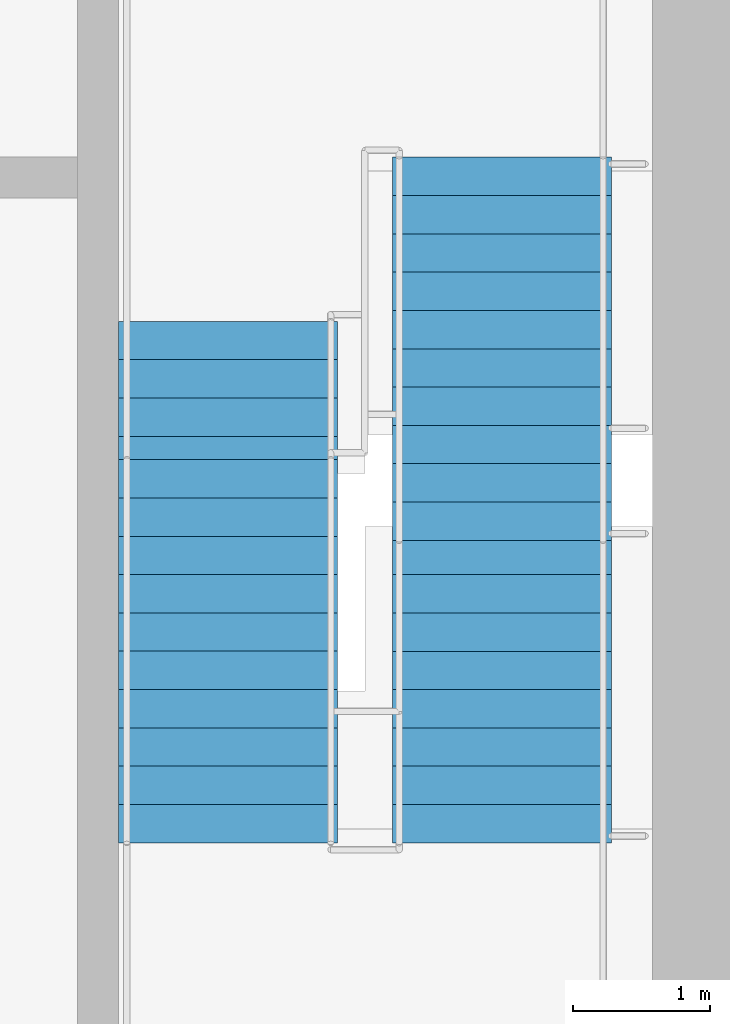
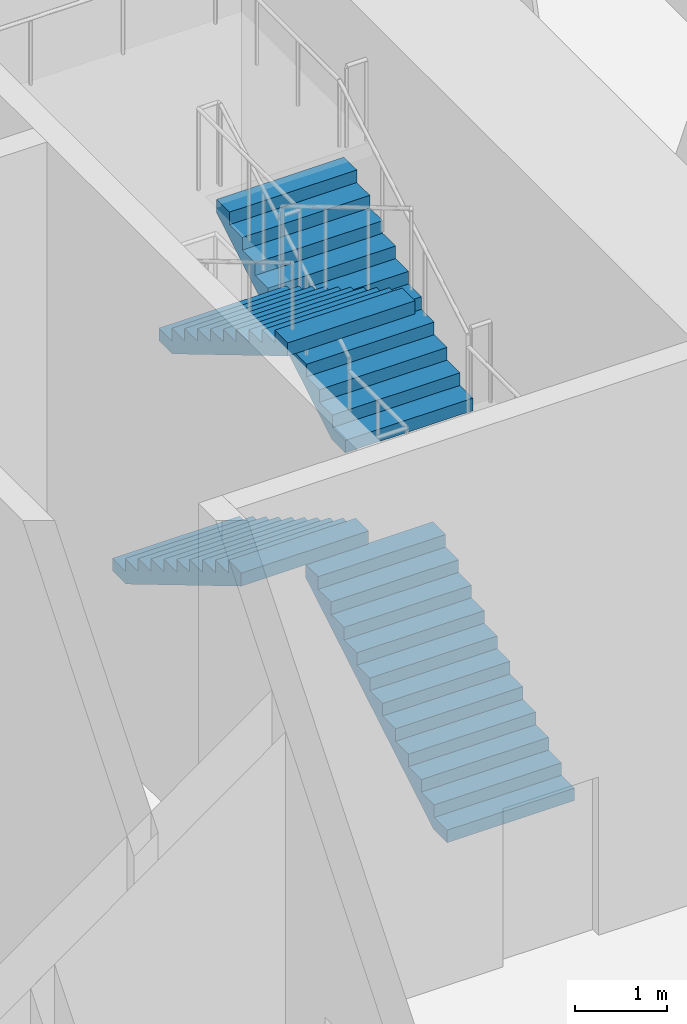
# One storey, part 14 of 16: 4 stair flights, 1 element without a shape of its own.
"""IFC4 building model written with IfcOpenShell, lengths in metres."""

from ifc_helpers import new_model, si_unit, direction, frame, origin, place, context, subcontext, project, spatial, polyline, outline, extrude, material, type_object, element, aggregate, save


model = new_model("IFC4")

# Units and contexts
model_context = context("Model", 3, precision=1e-05, world=origin(), true_north=direction((0.0, 1.0)))
body_context = subcontext(model_context, "Body", "Model", "MODEL_VIEW")
ifc_project = project(units=[si_unit("LENGTHUNIT", "METRE"), si_unit("AREAUNIT", "SQUARE_METRE"), si_unit("VOLUMEUNIT", "CUBIC_METRE"), si_unit("PLANEANGLEUNIT", "RADIAN"), si_unit("MASSUNIT", "GRAM", prefix="KILO")], contexts=[model_context])

# Site, building, storey
site_placement = place(None, origin())
site = spatial("IfcSite", under=ifc_project, at=site_placement, CompositionType="ELEMENT")
building_placement = place(site_placement, origin())
building = spatial("IfcBuilding", under=site, at=building_placement, Name="Khuree Lantern Residences", CompositionType="ELEMENT")
storey_placement = place(building_placement, frame((0.0, 0.0, 278.25)))
storey = spatial("IfcBuildingStorey", under=building, at=storey_placement, Name="L70", CompositionType="ELEMENT", Elevation=278.25)

# Stair, stair flights
ifc_material = material(Name="Concrete C40/50", Category="concrete")
stair_type = type_object("IfcStairType", Name="STAIR ST1 HALF TURN 3600", PredefinedType="HALF_TURN_STAIR", material=ifc_material)
stair_placement = place(storey_placement, origin())
stair = element("IfcStair", 1, at=stair_placement, inside=storey, type_object=stair_type, Name="Stair ST2", PredefinedType="HALF_TURN_STAIR")
stair_flight_type = type_object("IfcStairFlightType", Name="STAIR FLIGHT SF1 1600", PredefinedType="STRAIGHT", material=ifc_material)
stair_flight_1_placement = place(storey_placement, frame((13.60009765625, -2.860107421875, 0.0), z_axis=(0.0, 0.0, 1.0), x_axis=(0.0, 1.0, 0.0)))
stair_flight_1 = element("IfcStairFlight", 2, at=stair_flight_1_placement, type_object=stair_flight_type, Name="ST2 flight 1", NumberOfRisers=12, NumberOfTreads=11, PredefinedType="STRAIGHT", RiserHeight=0.166666667, TreadLength=0.28, context=body_context, shape_type="SweptSolid", body=[
    extrude(outline(polyline([(0.0, 0.0), (0.0, 0.166748046875), (0.280029296875, 0.166748046875), (0.280029296875, 0.333251953125), (0.56005859375, 0.333251953125), (0.56005859375, 0.5), (0.840087890625, 0.5), (0.840087890625, 0.666748046875), (1.1201171875, 0.666748046875), (1.1201171875, 0.833251953125), (1.39990234375, 0.833251953125), (1.39990234375, 1.0), (1.679931640625, 1.0), (1.679931640625, 1.166748046875), (1.9599609375, 1.166748046875), (1.9599609375, 1.333251953125), (2.239990234375, 1.333251953125), (2.239990234375, 1.5), (2.52001953125, 1.5), (2.52001953125, 1.666748046875), (2.800048828125, 1.666748046875), (2.800048828125, 1.833251953125), (3.080078125, 1.833251953125), (3.080078125, 2.0), (3.080078125, 1.658935546875), (0.29296875, 0.0), (0.0, 0.0)])), frame((0.0, 0.800048828125, 0.0), z_axis=(0.0, -1.0, 0.0), x_axis=(1.0, 0.0, 0.0)), (0.0, 0.0, 1.0), 1.60009765625),
])
stair_flight_2_placement = place(storey_placement, frame((11.60009765625, 0.949951171875, 2.0), z_axis=(0.0, 0.0, 1.0), x_axis=(0.0, -1.0, 0.0)))
stair_flight_2 = element("IfcStairFlight", 3, at=stair_flight_2_placement, type_object=stair_flight_type, Name="ST2 flight 2", NumberOfRisers=11, NumberOfTreads=10, PredefinedType="STRAIGHT", RiserHeight=0.166666667, TreadLength=0.28, context=body_context, shape_type="SweptSolid", body=[
    extrude(outline(polyline([(0.0, 0.0), (0.0, 0.166748046875), (0.280029296875, 0.166748046875), (0.280029296875, 0.333251953125), (0.56005859375, 0.333251953125), (0.56005859375, 0.5), (0.840087890625, 0.5), (0.840087890625, 0.666748046875), (1.1201171875, 0.666748046875), (1.1201171875, 0.833251953125), (1.39990234375, 0.833251953125), (1.39990234375, 1.0), (1.679931640625, 1.0), (1.679931640625, 1.166748046875), (1.9599609375, 1.166748046875), (1.9599609375, 1.333251953125), (2.239990234375, 1.333251953125), (2.239990234375, 1.5), (2.52001953125, 1.5), (2.52001953125, 1.666748046875), (2.800048828125, 1.666748046875), (2.800048828125, 1.833251953125), (2.800048828125, 1.4921875), (0.29296875, 0.0), (0.0, 0.0)])), frame((0.0, 0.800048828125, 0.0), z_axis=(0.0, -1.0, 0.0), x_axis=(1.0, 0.0, 0.0)), (0.0, 0.0, 1.0), 1.60009765625),
])
stair_flight_3_placement = place(storey_placement, frame((13.60009765625, -0.64990234375, 3.833251953125), z_axis=(0.0, 0.0, 1.0), x_axis=(0.0, 1.0, 0.0)))
stair_flight_3 = element("IfcStairFlight", 4, at=stair_flight_3_placement, type_object=stair_flight_type, Name="ST2 flight 3", NumberOfRisers=11, NumberOfTreads=10, PredefinedType="STRAIGHT", RiserHeight=0.166666667, TreadLength=0.28, context=body_context, shape_type="SweptSolid", body=[
    extrude(outline(polyline([(0.0, 0.0), (0.0, 0.166748046875), (0.280029296875, 0.166748046875), (0.280029296875, 0.333251953125), (0.56005859375, 0.333251953125), (0.56005859375, 0.5), (0.840087890625, 0.5), (0.840087890625, 0.666748046875), (1.1201171875, 0.666748046875), (1.1201171875, 0.833251953125), (1.39990234375, 0.833251953125), (1.39990234375, 1.0), (1.679931640625, 1.0), (1.679931640625, 1.166748046875), (1.9599609375, 1.166748046875), (1.9599609375, 1.333251953125), (2.239990234375, 1.333251953125), (2.239990234375, 1.5), (2.52001953125, 1.5), (2.52001953125, 1.666748046875), (2.800048828125, 1.666748046875), (2.800048828125, 1.833251953125), (2.800048828125, 1.4921875), (0.29296875, 0.0), (0.0, 0.0)])), frame((0.0, 0.800048828125, 0.0), z_axis=(0.0, -1.0, 0.0), x_axis=(1.0, 0.0, 0.0)), (0.0, 0.0, 1.0), 1.60009765625),
])
stair_flight_4_placement = place(storey_placement, frame((11.60009765625, -0.06005859375, 5.666748046875), z_axis=(0.0, 0.0, 1.0), x_axis=(0.0, -1.0, 0.0)))
stair_flight_4 = element("IfcStairFlight", 5, at=stair_flight_4_placement, type_object=stair_flight_type, Name="ST2 flight 4", NumberOfRisers=11, NumberOfTreads=10, PredefinedType="STRAIGHT", RiserHeight=0.166666667, TreadLength=0.28, context=body_context, shape_type="SweptSolid", body=[
    extrude(outline(polyline([(0.0, 0.0), (0.0, 0.166748046875), (0.280029296875, 0.166748046875), (0.280029296875, 0.333251953125), (0.56005859375, 0.333251953125), (0.56005859375, 0.5), (0.840087890625, 0.5), (0.840087890625, 0.666748046875), (1.1201171875, 0.666748046875), (1.1201171875, 0.833251953125), (1.39990234375, 0.833251953125), (1.39990234375, 1.0), (1.679931640625, 1.0), (1.679931640625, 1.166748046875), (1.9599609375, 1.166748046875), (1.9599609375, 1.333251953125), (2.239990234375, 1.333251953125), (2.239990234375, 1.5), (2.52001953125, 1.5), (2.52001953125, 1.666748046875), (2.800048828125, 1.666748046875), (2.800048828125, 1.833251953125), (2.800048828125, 1.4921875), (0.29296875, 0.0), (0.0, 0.0)])), frame((0.0, 0.800048828125, 0.0), z_axis=(0.0, -1.0, 0.0), x_axis=(1.0, 0.0, 0.0)), (0.0, 0.0, 1.0), 1.60009765625),
])
aggregate(stair, [stair_flight_1, stair_flight_2, stair_flight_3, stair_flight_4])

save(model, "model.ifc")
